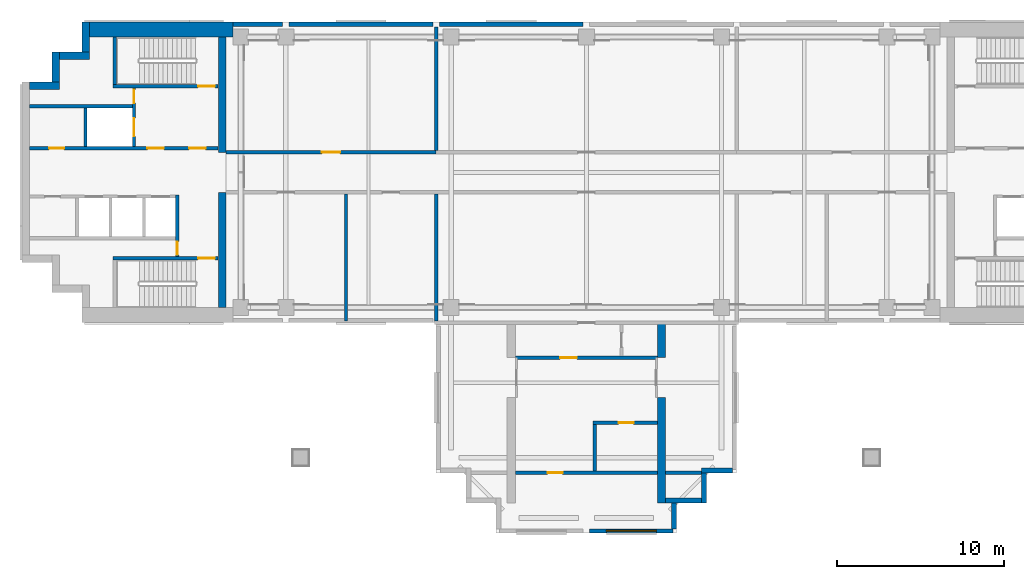
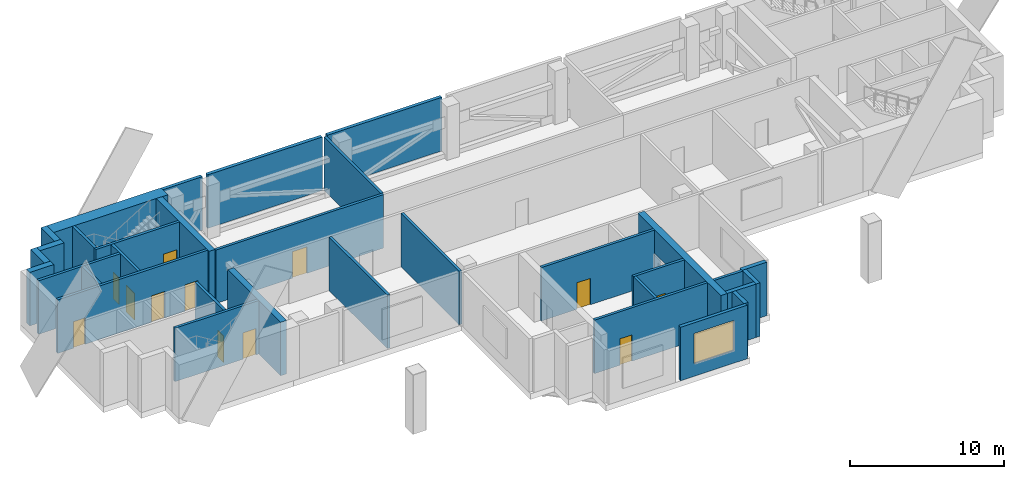
# One storey, part 3 of 8: 33 walls, 12 doors, 1 window, 13 openings.
"""IFC4 building model written with IfcOpenShell, lengths in metres."""

from ifc_helpers import new_model, si_unit, direction, frame, frame_2d, origin, place, context, subcontext, project, spatial, polyline, rectangle, outline, extrude, material, layer, layer_set, material_profile, profile_set, type_object, element, fill, save


model = new_model("IFC4")

# Units and contexts
model_context = context("Model", 3, precision=1e-05, world=origin(), true_north=direction((0.0, 1.0)))
body_context = subcontext(model_context, "Body", "Model", "MODEL_VIEW")
ifc_project = project(units=[si_unit("LENGTHUNIT", "METRE"), si_unit("AREAUNIT", "SQUARE_METRE"), si_unit("VOLUMEUNIT", "CUBIC_METRE"), si_unit("PLANEANGLEUNIT", "RADIAN"), si_unit("MASSUNIT", "GRAM", prefix="KILO")], contexts=[model_context])

# Site, building, storey
site_placement = place(None, origin())
site = spatial("IfcSite", under=ifc_project, at=site_placement, CompositionType="ELEMENT")
building_placement = place(site_placement, origin())
building = spatial("IfcBuilding", under=site, at=building_placement, Name="Perihelion Cross Residences", CompositionType="ELEMENT")
storey_placement = place(building_placement, frame((0.0, 0.0, 228.0)))
storey = spatial("IfcBuildingStorey", under=building, at=storey_placement, Name="L57", CompositionType="ELEMENT", Elevation=228.0)

# Walls
ifc_material_1 = material(Name="Plasterboard partition")
ifc_layer_1 = layer(ifc_material_1, 0.199951171875)
ifc_layer_set_1 = layer_set([ifc_layer_1], Name="Apartment riser wall 200")
wall_type_1 = type_object("IfcWallType", Name="Apartment riser wall 200", PredefinedType="PARTITIONING", material=ifc_layer_set_1)
wall_1_placement = place(storey_placement, frame((-9.0, 1.300048828125, 0.0), z_axis=(0.0, 0.0, 1.0), x_axis=(0.0, 1.0, 0.0)))
element("IfcWall", 1, at=wall_1_placement, inside=storey, type_object=wall_type_1, Name="Partition L57 W006", PredefinedType="PARTITIONING", context=body_context, shape_type="SweptSolid", body=[
    extrude(rectangle(XDim=7.39990234375, YDim=0.199951171875, at=frame_2d((3.699951171875, 0.0))), origin(), (0.0, 0.0, 1.0), 4.25),
])
for number, where, z_axis, x_axis, name in (
    (2, (-9.0, -8.89990234375, 0.0), (0.0, 0.0, 1.0), (0.0, 1.0, 0.0), "Partition L57 W008"),
    (3, (-14.39990234375, -8.89990234375, 0.0), (0.0, 0.0, 1.0), (0.0, 1.0, 0.0), "Partition L57 W011"),
):
    element("IfcWall", number, at=place(storey_placement, frame(where, z_axis=z_axis, x_axis=x_axis)), inside=storey, type_object=wall_type_1, Name=name, PredefinedType="PARTITIONING", context=body_context, shape_type="SweptSolid", body=[
        extrude(rectangle(XDim=7.599853515625, YDim=0.199951171875, at=frame_2d((3.7998046875, 0.0))), origin(), (0.0, 0.0, 1.0), 4.25),
    ])

# Wall, opening, door
wall_2_placement = place(storey_placement, frame((4.25, -11.10009765625, 0.0), z_axis=(0.0, 0.0, 1.0), x_axis=(-1.0, 0.0, 0.0)))
wall_2 = element("IfcWall", 4, at=wall_2_placement, inside=storey, type_object=wall_type_1, Name="Partition L57 W013", PredefinedType="PARTITIONING", context=body_context, shape_type="SweptSolid", body=[
    extrude(rectangle(XDim=8.5, YDim=0.199951171875, at=frame_2d((4.25, 0.0))), origin(), (0.0, 0.0, 1.0), 4.25),
])
opening_1_placement = place(wall_2_placement, frame((4.824951171875, 0.0, 0.0)))
opening_1 = element("IfcOpeningElement", 5, at=opening_1_placement, cuts=wall_2, Name="Opening L57.A11", PredefinedType="OPENING", context=body_context, shape_type="SweptSolid", body=[
    extrude(rectangle(XDim=1.0, YDim=2.10009765625, at=frame_2d((0.5, 1.050048828125))), frame((0.0, 0.10986328125, 0.0), z_axis=(0.0, -1.0, 0.0), x_axis=(1.0, 0.0, 0.0)), (0.0, 0.0, 1.0), 0.219970703125),
])
ifc_material_2 = material(Name="Steel door leaf", Category="steel")
door_type_1 = type_object("IfcDoorType", Name="Plant floor door 1000 x 2100", OperationType="SINGLE_SWING_LEFT", PredefinedType="DOOR", material=ifc_material_2)
door_1_placement = place(opening_1_placement, origin())
door_1 = element("IfcDoor", 6, at=door_1_placement, inside=storey, type_object=door_type_1, Name="Door L57.A11", OperationType="SINGLE_SWING_RIGHT", OverallHeight=2.10009765625, OverallWidth=1.0, PredefinedType="DOOR", context=body_context, shape_type="SweptSolid", body=[
    extrude(rectangle(XDim=1.0, YDim=2.10009765625, at=frame_2d((0.5, 1.050048828125))), frame((0.0, 0.02490234375, 0.0), z_axis=(0.0, -1.0, 0.0), x_axis=(1.0, 0.0, 0.0)), (0.0, 0.0, 1.0), 0.050048828125),
])
fill(opening_1, door_1)

wall_3_placement = place(storey_placement, frame((4.25, -15.0, 0.0), z_axis=(0.0, 0.0, 1.0), x_axis=(-1.0, 0.0, 0.0)))
wall_3 = element("IfcWall", 7, at=wall_3_placement, inside=storey, type_object=wall_type_1, Name="Partition L57 W014", PredefinedType="PARTITIONING", context=body_context, shape_type="SweptSolid", body=[
    extrude(rectangle(XDim=3.85009765625, YDim=0.199951171875, at=frame_2d((1.925048828125, 0.0))), origin(), (0.0, 0.0, 1.0), 4.25),
])
opening_2_placement = place(wall_3_placement, frame((1.425048828125, 0.0, 0.0)))
opening_2 = element("IfcOpeningElement", 8, at=opening_2_placement, cuts=wall_3, Name="Opening L57.A12", PredefinedType="OPENING", context=body_context, shape_type="SweptSolid", body=[
    extrude(rectangle(XDim=0.89990234375, YDim=2.10009765625, at=frame_2d((0.449951171875, 1.050048828125))), frame((0.0, 0.10986328125, 0.0), z_axis=(0.0, -1.0, 0.0), x_axis=(1.0, 0.0, 0.0)), (0.0, 0.0, 1.0), 0.219970703125),
])
ifc_material_3 = material(Name="Timber door leaf", Category="wood")
door_type_2 = type_object("IfcDoorType", Name="Interior room door 900 x 2100", OperationType="SINGLE_SWING_LEFT", PredefinedType="DOOR", material=ifc_material_3)
door_2_placement = place(opening_2_placement, origin())
door_2 = element("IfcDoor", 9, at=door_2_placement, inside=storey, type_object=door_type_2, Name="Door L57.A12", OperationType="SINGLE_SWING_LEFT", OverallHeight=2.10009765625, OverallWidth=0.89990234375, PredefinedType="DOOR", context=body_context, shape_type="SweptSolid", body=[
    extrude(rectangle(XDim=0.89990234375, YDim=2.10009765625, at=frame_2d((0.449951171875, 1.050048828125))), frame((0.0, 0.02490234375, 0.0), z_axis=(0.0, -1.0, 0.0), x_axis=(1.0, 0.0, 0.0)), (0.0, 0.0, 1.0), 0.050048828125),
])
fill(opening_2, door_2)

# Wall
wall_4_placement = place(storey_placement, frame((0.5, -15.10009765625, 0.0), z_axis=(0.0, 0.0, 1.0), x_axis=(0.0, -1.0, 0.0)))
element("IfcWall", 10, at=wall_4_placement, inside=storey, type_object=wall_type_1, Name="Partition L57 W015", PredefinedType="PARTITIONING", context=body_context, shape_type="SweptSolid", body=[
    extrude(rectangle(XDim=2.7998046875, YDim=0.199951171875, at=frame_2d((1.39990234375, 0.0))), origin(), (0.0, 0.0, 1.0), 4.25),
])

# Wall, opening, door
wall_5_placement = place(storey_placement, frame((4.25, -18.0, 0.0), z_axis=(0.0, 0.0, 1.0), x_axis=(-1.0, 0.0, 0.0)))
wall_5 = element("IfcWall", 11, at=wall_5_placement, inside=storey, type_object=wall_type_1, Name="Partition L57 W016", PredefinedType="PARTITIONING", context=body_context, shape_type="SweptSolid", body=[
    extrude(rectangle(XDim=8.5, YDim=0.199951171875, at=frame_2d((4.25, 0.0))), origin(), (0.0, 0.0, 1.0), 4.25),
])
opening_3_placement = place(wall_5_placement, frame((5.675048828125, 0.0, 0.0)))
opening_3 = element("IfcOpeningElement", 12, at=opening_3_placement, cuts=wall_5, Name="Opening L57.A13", PredefinedType="OPENING", context=body_context, shape_type="SweptSolid", body=[
    extrude(rectangle(XDim=0.89990234375, YDim=2.10009765625, at=frame_2d((0.449951171875, 1.050048828125))), frame((0.0, 0.10986328125, 0.0), z_axis=(0.0, -1.0, 0.0), x_axis=(1.0, 0.0, 0.0)), (0.0, 0.0, 1.0), 0.219970703125),
])
door_3_placement = place(opening_3_placement, origin())
door_3 = element("IfcDoor", 13, at=door_3_placement, inside=storey, type_object=door_type_2, Name="Door L57.A13", OperationType="SINGLE_SWING_RIGHT", OverallHeight=2.10009765625, OverallWidth=0.89990234375, PredefinedType="DOOR", context=body_context, shape_type="SweptSolid", body=[
    extrude(rectangle(XDim=0.89990234375, YDim=2.10009765625, at=frame_2d((0.449951171875, 1.050048828125))), frame((0.0, 0.02490234375, 0.0), z_axis=(0.0, -1.0, 0.0), x_axis=(1.0, 0.0, 0.0)), (0.0, 0.0, 1.0), 0.050048828125),
])
fill(opening_3, door_3)

# Wall
wall_6_placement = place(storey_placement, frame((6.89990234375, -18.0, 0.0), z_axis=(0.0, 0.0, 1.0), x_axis=(-1.0, 0.0, 0.0)))
element("IfcWall", 14, at=wall_6_placement, inside=storey, type_object=wall_type_1, Name="Partition L57 W017", PredefinedType="PARTITIONING", context=body_context, shape_type="SweptSolid", body=[
    extrude(rectangle(XDim=2.14990234375, YDim=0.199951171875, at=frame_2d((1.074951171875, 0.0))), origin(), (0.0, 0.0, 1.0), 4.25),
])

# Wall, opening, door
ifc_material_4 = material(Name="Plasterboard partition")
ifc_layer_2 = layer(ifc_material_4, 0.199951171875)
ifc_layer_set_2 = layer_set([ifc_layer_2], Name="Apartment separation wall 200")
wall_type_2 = type_object("IfcWallType", Name="Apartment separation wall 200", PredefinedType="PARTITIONING", material=ifc_layer_set_2)
wall_7_placement = place(storey_placement, frame((-21.60009765625, 1.199951171875, 0.0), z_axis=(0.0, 0.0, 1.0), x_axis=(1.0, 0.0, 0.0)))
wall_7 = element("IfcWall", 15, at=wall_7_placement, inside=storey, type_object=wall_type_2, Name="Partition L57 W004", PredefinedType="PARTITIONING", context=body_context, shape_type="SweptSolid", body=[
    extrude(rectangle(XDim=12.60009765625, YDim=0.199951171875, at=frame_2d((6.300048828125, 0.0))), origin(), (0.0, 0.0, 1.0), 4.25),
])
opening_4_placement = place(wall_7_placement, frame((5.75, 0.0, 0.0)))
opening_4 = element("IfcOpeningElement", 16, at=opening_4_placement, cuts=wall_7, Name="Opening L57.A06", PredefinedType="OPENING", context=body_context, shape_type="SweptSolid", body=[
    extrude(rectangle(XDim=1.10009765625, YDim=2.10009765625, at=frame_2d((0.550048828125, 1.050048828125))), frame((0.0, 0.10986328125, 0.0), z_axis=(0.0, -1.0, 0.0), x_axis=(1.0, 0.0, 0.0)), (0.0, 0.0, 1.0), 0.219970703125),
])
ifc_material_5 = material(Name="Steel door leaf", Category="steel")
door_type_3 = type_object("IfcDoorType", Name="Refuge room door 1100 x 2100", OperationType="SINGLE_SWING_LEFT", PredefinedType="DOOR", material=ifc_material_5)
door_4_placement = place(opening_4_placement, origin())
door_4 = element("IfcDoor", 17, at=door_4_placement, inside=storey, type_object=door_type_3, Name="Door L57.A06", OperationType="SINGLE_SWING_RIGHT", OverallHeight=2.10009765625, OverallWidth=1.10009765625, PredefinedType="DOOR", context=body_context, shape_type="SweptSolid", body=[
    extrude(rectangle(XDim=1.10009765625, YDim=2.10009765625, at=frame_2d((0.550048828125, 1.050048828125))), frame((0.0, 0.02490234375, 0.0), z_axis=(0.0, -1.0, 0.0), x_axis=(1.0, 0.0, 0.0)), (0.0, 0.0, 1.0), 0.050048828125),
])
fill(opening_4, door_4)

# Walls
ifc_material_6 = material(Name="Concrete C30/37, bronze-clad", Category="concrete")
ifc_layer_3 = layer(ifc_material_6, 0.300048828125)
ifc_layer_set_3 = layer_set([ifc_layer_3], Name="Bronze-clad serration wall 300")
wall_type_3 = type_object("IfcWallType", Name="Bronze-clad serration wall 300", PredefinedType="SOLIDWALL", material=ifc_layer_set_3)
wall_8_placement = place(storey_placement, frame((5.25, -21.35009765625, 0.0), z_axis=(0.0, 0.0, 1.0), x_axis=(0.0, 1.0, 0.0)))
element("IfcWall", 18, at=wall_8_placement, inside=storey, type_object=wall_type_3, Name="Wall SR1 L57 south corner south-east 1", PredefinedType="SOLIDWALL", context=body_context, shape_type="SweptSolid", body=[
    extrude(rectangle(XDim=1.550048828125, YDim=0.300048828125, at=frame_2d((0.77490234375, 0.0))), origin(), (0.0, 0.0, 1.0), 4.25),
])
wall_9_placement = place(storey_placement, frame((4.75, -19.64990234375, 0.0), z_axis=(0.0, 0.0, 1.0), x_axis=(1.0, 0.0, 0.0)))
element("IfcWall", 19, at=wall_9_placement, inside=storey, type_object=wall_type_3, Name="Wall SR1 L57 south corner south-east 2", PredefinedType="SOLIDWALL", context=body_context, shape_type="SweptSolid", body=[
    extrude(rectangle(XDim=2.14990234375, YDim=0.300048828125, at=frame_2d((1.074951171875, 0.0))), origin(), (0.0, 0.0, 1.0), 4.25),
])
wall_10_placement = place(storey_placement, frame((7.050048828125, -19.800048828125, 0.0), z_axis=(0.0, 0.0, 1.0), x_axis=(0.0, 1.0, 0.0)))
element("IfcWall", 20, at=wall_10_placement, inside=storey, type_object=wall_type_3, Name="Wall SR1 L57 south corner south-east 3", PredefinedType="SOLIDWALL", context=body_context, shape_type="SweptSolid", body=[
    extrude(rectangle(XDim=1.800048828125, YDim=0.300048828125, at=frame_2d((0.89990234375, 0.0))), origin(), (0.0, 0.0, 1.0), 4.25),
])
wall_11_placement = place(storey_placement, frame((6.89990234375, -17.85009765625, 0.0), z_axis=(0.0, 0.0, 1.0), x_axis=(1.0, 0.0, 0.0)))
element("IfcWall", 21, at=wall_11_placement, inside=storey, type_object=wall_type_3, Name="Wall SR1 L57 south corner south-east 4", PredefinedType="SOLIDWALL", context=body_context, shape_type="SweptSolid", body=[
    extrude(rectangle(XDim=1.85009765625, YDim=0.300048828125, at=frame_2d((0.925048828125, 0.0))), origin(), (0.0, 0.0, 1.0), 4.25),
])
ifc_material_7 = material(Name="Concrete C60/75", Category="concrete")
ifc_layer_4 = layer(ifc_material_7, 0.449951171875)
ifc_layer_set_4 = layer_set([ifc_layer_4], Name="Core wall, inner 450")
wall_type_4 = type_object("IfcWallType", Name="Core wall, inner 450", PredefinedType="SHEAR", material=ifc_layer_set_4)
for number, where, z_axis, x_axis, name in (
    (22, (-21.824951171875, -8.10009765625, 0.0), (0.0, 0.0, 1.0), (0.0, 1.0, 0.0), "West core core wall, inner"),
    (23, (-21.824951171875, 1.199951171875, 0.0), (0.0, 0.0, 1.0), (0.0, 1.0, 0.0), "West core core wall, inner"),
):
    element("IfcWall", number, at=place(storey_placement, frame(where, z_axis=z_axis, x_axis=x_axis)), inside=storey, type_object=wall_type_4, Name=name, PredefinedType="SHEAR", context=body_context, shape_type="SweptSolid", body=[
        extrude(rectangle(XDim=6.900146484375, YDim=0.449951171875, at=frame_2d((3.4501953125, 0.0))), origin(), (0.0, 0.0, 1.0), 4.25),
    ])
ifc_material_8 = material(Name="Concrete C60/75", Category="concrete")
ifc_layer_5 = layer(ifc_material_8, 0.449951171875)
ifc_layer_set_5 = layer_set([ifc_layer_5], Name="Core wall, outer 450")
wall_type_5 = type_object("IfcWallType", Name="Core wall, outer 450", PredefinedType="SHEAR", material=ifc_layer_set_5)
for number, where, z_axis, x_axis, name in (
    (24, (-33.35009765625, 5.175048828125, 0.0), (0.0, 0.0, 1.0), (1.0, 0.0, 0.0), "West core core wall, outer"),
    (25, (-31.77490234375, 5.39990234375, 0.0), (0.0, 0.0, 1.0), (0.0, 1.0, 0.0), "West core core wall, outer"),
    (26, (-31.550048828125, 6.97509765625, 0.0), (0.0, 0.0, 1.0), (1.0, 0.0, 0.0), "West core core wall, outer"),
    (27, (-29.97509765625, 7.199951171875, 0.0), (0.0, 0.0, 1.0), (0.0, 1.0, 0.0), "West core core wall, outer"),
):
    element("IfcWall", number, at=place(storey_placement, frame(where, z_axis=z_axis, x_axis=x_axis)), inside=storey, type_object=wall_type_5, Name=name, PredefinedType="SHEAR", context=body_context, shape_type="SweptSolid", body=[
        extrude(rectangle(XDim=1.800048828125, YDim=0.449951171875, at=frame_2d((0.89990234375, 0.0))), origin(), (0.0, 0.0, 1.0), 4.25),
    ])
ifc_material_9 = material(Name="Concrete C60/75", Category="concrete")
ifc_layer_6 = layer(ifc_material_9, 0.89990234375)
ifc_layer_set_6 = layer_set([ifc_layer_6], Name="Core wall, outer 900")
wall_type_6 = type_object("IfcWallType", Name="Core wall, outer 900", PredefinedType="SHEAR", material=ifc_layer_set_6)
wall_12_placement = place(storey_placement, frame((-29.75, 8.550048828125, 0.0), z_axis=(0.0, 0.0, 1.0), x_axis=(1.0, 0.0, 0.0)))
element("IfcWall", 28, at=wall_12_placement, inside=storey, type_object=wall_type_6, Name="West core core wall, outer", PredefinedType="SHEAR", context=body_context, shape_type="SweptSolid", body=[
    extrude(rectangle(XDim=8.574951171875, YDim=0.89990234375, at=frame_2d((4.28759765625, 0.0))), origin(), (0.0, 0.0, 1.0), 4.25),
])

# Wall, opening, door
ifc_material_10 = material(Name="Concrete C50/60", Category="concrete")
ifc_layer_7 = layer(ifc_material_10, 0.199951171875)
ifc_layer_set_7 = layer_set([ifc_layer_7], Name="Lobby wall 200")
wall_type_7 = type_object("IfcWallType", Name="Lobby wall 200", PredefinedType="SOLIDWALL", material=ifc_layer_set_7)
wall_13_placement = place(storey_placement, frame((-24.5, -5.050048828125, 0.0), z_axis=(0.0, 0.0, 1.0), x_axis=(0.0, 1.0, 0.0)))
wall_13 = element("IfcWall", 29, at=wall_13_placement, inside=storey, type_object=wall_type_7, Name="West core lobby wall", PredefinedType="SOLIDWALL", context=body_context, shape_type="SweptSolid", body=[
    extrude(rectangle(XDim=3.699951171875, YDim=0.199951171875, at=frame_2d((1.85009765625, 0.0))), origin(), (0.0, 0.0, 1.0), 4.25),
])
opening_5_placement = place(wall_13_placement, frame((0.10009765625, 0.0, 0.0)))
opening_5 = element("IfcOpeningElement", 30, at=opening_5_placement, cuts=wall_13, Name="Opening L57.C20", PredefinedType="OPENING", context=body_context, shape_type="SweptSolid", body=[
    extrude(rectangle(XDim=0.800048828125, YDim=2.10009765625, at=frame_2d((0.39990234375, 1.050048828125))), frame((0.0, 0.10986328125, 0.0), z_axis=(0.0, -1.0, 0.0), x_axis=(1.0, 0.0, 0.0)), (0.0, 0.0, 1.0), 0.219970703125),
])
ifc_material_11 = material(Name="Steel, powder coated", Category="steel")
door_type_4 = type_object("IfcDoorType", Name="Riser door 800", OperationType="SINGLE_SWING_LEFT", PredefinedType="DOOR", material=ifc_material_11)
door_5_placement = place(opening_5_placement, origin())
door_5 = element("IfcDoor", 31, at=door_5_placement, inside=storey, type_object=door_type_4, Name="West core riser door", OperationType="SINGLE_SWING_LEFT", OverallHeight=2.10009765625, OverallWidth=0.800048828125, PredefinedType="DOOR", context=body_context, shape_type="SweptSolid", body=[
    extrude(rectangle(XDim=0.800048828125, YDim=2.10009765625, at=frame_2d((0.39990234375, 1.050048828125))), frame((0.0, 0.02490234375, 0.0), z_axis=(0.0, -1.0, 0.0), x_axis=(1.0, 0.0, 0.0)), (0.0, 0.0, 1.0), 0.050048828125),
])
fill(opening_5, door_5)

# Walls
ifc_material_12 = material(Name="Concrete C30/37, bronze-clad", Category="concrete")
ifc_layer_8 = layer(ifc_material_12, 0.25)
ifc_layer_set_8 = layer_set([ifc_layer_8], Name="Louvre bay wall 250")
wall_type_8 = type_object("IfcWallType", Name="Louvre bay wall 250", PredefinedType="SOLIDWALL", material=ifc_layer_set_8)
for number, where, z_axis, x_axis, name in (
    (32, (-0.199951171875, 8.875, 0.0), (0.0, 0.0, 1.0), (-1.0, 0.0, 0.0), "Wall FW2 L57 north side east bay 2 louvre"),
    (33, (-9.199951171875, 8.875, 0.0), (0.0, 0.0, 1.0), (-1.0, 0.0, 0.0), "Wall FW2 L57 west side north bay 1 louvre"),
):
    element("IfcWall", number, at=place(storey_placement, frame(where, z_axis=z_axis, x_axis=x_axis)), inside=storey, type_object=wall_type_8, Name=name, PredefinedType="SOLIDWALL", context=body_context, shape_type="SweptSolid", body=[
        extrude(rectangle(XDim=8.60009765625, YDim=0.25, at=frame_2d((4.300048828125, 0.0))), origin(), (0.0, 0.0, 1.0), 4.25),
    ])
wall_14_placement = place(storey_placement, frame((-18.199951171875, 8.875, 0.0), z_axis=(0.0, 0.0, 1.0), x_axis=(-1.0, 0.0, 0.0)))
element("IfcWall", 34, at=wall_14_placement, inside=storey, type_object=wall_type_8, Name="Wall FW2 L57 west side north bay 2 louvre", PredefinedType="SOLIDWALL", context=body_context, shape_type="SweptSolid", body=[
    extrude(rectangle(XDim=2.97509765625, YDim=0.25, at=frame_2d((1.487548828125, 0.0))), origin(), (0.0, 0.0, 1.0), 4.25),
])

# Wall, opening, window
wall_15_placement = place(storey_placement, frame((0.199951171875, -21.47509765625, 0.0), z_axis=(0.0, 0.0, 1.0), x_axis=(1.0, 0.0, 0.0)))
wall_15 = element("IfcWall", 35, at=wall_15_placement, inside=storey, type_object=wall_type_8, Name="Wall FW2 L57 south tip south bay 2 louvre", PredefinedType="SOLIDWALL", context=body_context, shape_type="SweptSolid", body=[
    extrude(rectangle(XDim=5.0, YDim=0.25, at=frame_2d((2.5, 0.0))), origin(), (0.0, 0.0, 1.0), 4.25),
])
opening_6_placement = place(wall_15_placement, frame((1.0, 0.0, 1.0)))
opening_6 = element("IfcOpeningElement", 36, at=opening_6_placement, cuts=wall_15, Name="Opening L57.W03", PredefinedType="OPENING", context=body_context, shape_type="SweptSolid", body=[
    extrude(rectangle(XDim=3.0, YDim=2.39990234375, at=frame_2d((1.5, 1.199951171875))), frame((0.0, 0.135009765625, 0.0), z_axis=(0.0, -1.0, 0.0), x_axis=(1.0, 0.0, 0.0)), (0.0, 0.0, 1.0), 0.27001953125),
])
ifc_material_13 = material(Name="Bronze anodised aluminium, louvred", Category="aluminium")
window_type = type_object("IfcWindowType", Name="Louvred vent 3000 x 2400", PartitioningType="SINGLE_PANEL", PredefinedType="WINDOW", material=ifc_material_13)
window_placement = place(opening_6_placement, origin())
window = element("IfcWindow", 37, at=window_placement, inside=storey, type_object=window_type, Name="Window L57.W03 south tip south bay 2 vent", OverallHeight=2.39990234375, OverallWidth=3.0, PartitioningType="SINGLE_PANEL", PredefinedType="WINDOW", context=body_context, shape_type="SweptSolid", body=[
    extrude(rectangle(XDim=3.0, YDim=2.39990234375, at=frame_2d((1.5, 1.199951171875))), frame((0.0, 0.030029296875, 0.0), z_axis=(0.0, -1.0, 0.0), x_axis=(1.0, 0.0, 0.0)), (0.0, 0.0, 1.0), 0.06005859375),
])
fill(opening_6, window)

# Wall, openings, doors
ifc_material_14 = material(Name="Concrete C50/60", Category="concrete")
ifc_layer_9 = layer(ifc_material_14, 0.199951171875)
ifc_layer_set_9 = layer_set([ifc_layer_9], Name="Shaft wall 200")
wall_type_9 = type_object("IfcWallType", Name="Shaft wall 200", PredefinedType="SOLIDWALL", material=ifc_layer_set_9)
wall_16_placement = place(storey_placement, frame((-33.35009765625, 1.449951171875, 0.0), z_axis=(0.0, 0.0, 1.0), x_axis=(1.0, 0.0, 0.0)))
wall_16 = element("IfcWall", 38, at=wall_16_placement, inside=storey, type_object=wall_type_9, Name="West core shaft wall", PredefinedType="SOLIDWALL", context=body_context, shape_type="SweptSolid", body=[
    extrude(rectangle(XDim=11.300048828125, YDim=0.199951171875, at=frame_2d((5.64990234375, 0.0))), origin(), (0.0, 0.0, 1.0), 4.25),
])
opening_7_placement = place(wall_16_placement, frame((9.550048828125, 0.0, 0.0)))
opening_7 = element("IfcOpeningElement", 39, at=opening_7_placement, cuts=wall_16, Name="Opening L57.C19", PredefinedType="OPENING", context=body_context, shape_type="SweptSolid", body=[
    extrude(rectangle(XDim=1.0, YDim=2.10009765625, at=frame_2d((0.5, 1.050048828125))), frame((0.0, 0.10986328125, 0.0), z_axis=(0.0, -1.0, 0.0), x_axis=(1.0, 0.0, 0.0)), (0.0, 0.0, 1.0), 0.219970703125),
])
opening_8_placement = place(wall_16_placement, frame((7.050048828125, 0.0, 0.0)))
opening_8 = element("IfcOpeningElement", 40, at=opening_8_placement, cuts=wall_16, Name="Opening L57.C21", PredefinedType="OPENING", context=body_context, shape_type="SweptSolid", body=[
    extrude(rectangle(XDim=1.0, YDim=2.10009765625, at=frame_2d((0.5, 1.050048828125))), frame((0.0, 0.10986328125, 0.0), z_axis=(0.0, -1.0, 0.0), x_axis=(1.0, 0.0, 0.0)), (0.0, 0.0, 1.0), 0.219970703125),
])
opening_9_placement = place(wall_16_placement, frame((1.175048828125, 0.0, 0.0)))
opening_9 = element("IfcOpeningElement", 41, at=opening_9_placement, cuts=wall_16, Name="Opening L57.C23", PredefinedType="OPENING", context=body_context, shape_type="SweptSolid", body=[
    extrude(rectangle(XDim=0.89990234375, YDim=2.10009765625, at=frame_2d((0.449951171875, 1.050048828125))), frame((0.0, 0.10986328125, 0.0), z_axis=(0.0, -1.0, 0.0), x_axis=(1.0, 0.0, 0.0)), (0.0, 0.0, 1.0), 0.219970703125),
])
ifc_material_15 = material(Name="Steel, powder coated", Category="steel")
door_type_5 = type_object("IfcDoorType", Name="Lobby door 1000", OperationType="SINGLE_SWING_LEFT", PredefinedType="DOOR", material=ifc_material_15)
door_6_placement = place(opening_7_placement, origin())
door_6 = element("IfcDoor", 42, at=door_6_placement, inside=storey, type_object=door_type_5, Name="West core firefighting lobby door", OperationType="SINGLE_SWING_LEFT", OverallHeight=2.10009765625, OverallWidth=1.0, PredefinedType="DOOR", context=body_context, shape_type="SweptSolid", body=[
    extrude(rectangle(XDim=1.0, YDim=2.10009765625, at=frame_2d((0.5, 1.050048828125))), frame((0.0, 0.02490234375, 0.0), z_axis=(0.0, -1.0, 0.0), x_axis=(1.0, 0.0, 0.0)), (0.0, 0.0, 1.0), 0.050048828125),
])
fill(opening_7, door_6)
door_7_placement = place(opening_8_placement, origin())
door_7 = element("IfcDoor", 43, at=door_7_placement, inside=storey, type_object=door_type_5, Name="West core firefighting lobby door", OperationType="SINGLE_SWING_LEFT", OverallHeight=2.10009765625, OverallWidth=1.0, PredefinedType="DOOR", context=body_context, shape_type="SweptSolid", body=[
    extrude(rectangle(XDim=1.0, YDim=2.10009765625, at=frame_2d((0.5, 1.050048828125))), frame((0.0, 0.02490234375, 0.0), z_axis=(0.0, -1.0, 0.0), x_axis=(1.0, 0.0, 0.0)), (0.0, 0.0, 1.0), 0.050048828125),
])
fill(opening_8, door_7)
ifc_material_16 = material(Name="Steel, powder coated", Category="steel")
door_type_6 = type_object("IfcDoorType", Name="Service room door 900", OperationType="SINGLE_SWING_LEFT", PredefinedType="DOOR", material=ifc_material_16)
door_8_placement = place(opening_9_placement, origin())
door_8 = element("IfcDoor", 44, at=door_8_placement, inside=storey, type_object=door_type_6, Name="West core service room door", OperationType="SINGLE_SWING_LEFT", OverallHeight=2.10009765625, OverallWidth=0.89990234375, PredefinedType="DOOR", context=body_context, shape_type="SweptSolid", body=[
    extrude(rectangle(XDim=0.89990234375, YDim=2.10009765625, at=frame_2d((0.449951171875, 1.050048828125))), frame((0.0, 0.02490234375, 0.0), z_axis=(0.0, -1.0, 0.0), x_axis=(1.0, 0.0, 0.0)), (0.0, 0.0, 1.0), 0.050048828125),
])
fill(opening_9, door_8)

# Wall
wall_17_placement = place(storey_placement, frame((-33.35009765625, 3.949951171875, 0.0), z_axis=(0.0, 0.0, 1.0), x_axis=(1.0, 0.0, 0.0)))
element("IfcWall", 45, at=wall_17_placement, inside=storey, type_object=wall_type_9, Name="West core shaft wall", PredefinedType="SOLIDWALL", context=body_context, shape_type="SweptSolid", body=[
    extrude(rectangle(XDim=6.150146484375, YDim=0.199951171875, at=frame_2d((3.0751953125, 0.0))), origin(), (0.0, 0.0, 1.0), 4.25),
])

# Wall, openings, doors
wall_18_placement = place(storey_placement, frame((-27.10009765625, 1.550048828125, 0.0), z_axis=(0.0, 0.0, 1.0), x_axis=(0.0, 1.0, 0.0)))
wall_18 = element("IfcWall", 46, at=wall_18_placement, inside=storey, type_object=wall_type_9, Name="West core shaft wall", PredefinedType="SOLIDWALL", context=body_context, shape_type="SweptSolid", body=[
    extrude(rectangle(XDim=3.5, YDim=0.199951171875, at=frame_2d((1.75, 0.0))), origin(), (0.0, 0.0, 1.0), 4.25),
])
opening_10_placement = place(wall_18_placement, frame((0.60009765625, 0.0, 0.0)))
opening_10 = element("IfcOpeningElement", 47, at=opening_10_placement, cuts=wall_18, Name="Opening L57.C14", PredefinedType="OPENING", context=body_context, shape_type="SweptSolid", body=[
    extrude(rectangle(XDim=1.10009765625, YDim=2.10009765625, at=frame_2d((0.550048828125, 1.050048828125))), frame((0.0, 0.10986328125, 0.0), z_axis=(0.0, -1.0, 0.0), x_axis=(1.0, 0.0, 0.0)), (0.0, 0.0, 1.0), 0.219970703125),
])
opening_11_placement = place(wall_18_placement, frame((2.60009765625, 0.0, 0.0)))
opening_11 = element("IfcOpeningElement", 48, at=opening_11_placement, cuts=wall_18, Name="Opening L57.C22", PredefinedType="OPENING", context=body_context, shape_type="SweptSolid", body=[
    extrude(rectangle(XDim=0.800048828125, YDim=2.10009765625, at=frame_2d((0.39990234375, 1.050048828125))), frame((0.0, 0.10986328125, 0.0), z_axis=(0.0, -1.0, 0.0), x_axis=(1.0, 0.0, 0.0)), (0.0, 0.0, 1.0), 0.219970703125),
])
ifc_material_17 = material(Name="Stainless steel", Category="steel")
door_type_7 = type_object("IfcDoorType", Name="Landing door, firefighting lift 1100", OperationType="DOUBLE_DOOR_SLIDING", PredefinedType="DOOR", material=ifc_material_17)
door_9_placement = place(opening_10_placement, origin())
door_9 = element("IfcDoor", 49, at=door_9_placement, inside=storey, type_object=door_type_7, Name="Landing door, West core firefighting and service lift", OperationType="DOUBLE_DOOR_SLIDING", OverallHeight=2.10009765625, OverallWidth=1.10009765625, PredefinedType="DOOR", context=body_context, shape_type="SweptSolid", body=[
    extrude(rectangle(XDim=1.10009765625, YDim=2.10009765625, at=frame_2d((0.550048828125, 1.050048828125))), frame((0.0, 0.02490234375, 0.0), z_axis=(0.0, -1.0, 0.0), x_axis=(1.0, 0.0, 0.0)), (0.0, 0.0, 1.0), 0.050048828125),
])
fill(opening_10, door_9)
door_10_placement = place(opening_11_placement, origin())
door_10 = element("IfcDoor", 50, at=door_10_placement, inside=storey, type_object=door_type_4, Name="West core riser door", OperationType="SINGLE_SWING_LEFT", OverallHeight=2.10009765625, OverallWidth=0.800048828125, PredefinedType="DOOR", context=body_context, shape_type="SweptSolid", body=[
    extrude(rectangle(XDim=0.800048828125, YDim=2.10009765625, at=frame_2d((0.39990234375, 1.050048828125))), frame((0.0, 0.02490234375, 0.0), z_axis=(0.0, -1.0, 0.0), x_axis=(1.0, 0.0, 0.0)), (0.0, 0.0, 1.0), 0.050048828125),
])
fill(opening_11, door_10)

# Wall
wall_19_placement = place(storey_placement, frame((-30.0, 1.550048828125, 0.0), z_axis=(0.0, 0.0, 1.0), x_axis=(0.0, 1.0, 0.0)))
element("IfcWall", 51, at=wall_19_placement, inside=storey, type_object=wall_type_9, Name="West core shaft wall", PredefinedType="SOLIDWALL", context=body_context, shape_type="SweptSolid", body=[
    extrude(rectangle(XDim=2.300048828125, YDim=0.199951171875, at=frame_2d((1.14990234375, 0.0))), origin(), (0.0, 0.0, 1.0), 4.25),
])

# Wall, opening, door
ifc_material_18 = material(Name="Concrete C50/60", Category="concrete")
ifc_layer_10 = layer(ifc_material_18, 0.199951171875)
ifc_layer_set_10 = layer_set([ifc_layer_10], Name="Stair wall 200")
wall_type_10 = type_object("IfcWallType", Name="Stair wall 200", PredefinedType="SOLIDWALL", material=ifc_layer_set_10)
wall_20_placement = place(storey_placement, frame((-28.35009765625, 5.14990234375, 0.0), z_axis=(0.0, 0.0, 1.0), x_axis=(1.0, 0.0, 0.0)))
wall_20 = element("IfcWall", 52, at=wall_20_placement, inside=storey, type_object=wall_type_10, Name="West core stair wall", PredefinedType="SOLIDWALL", context=body_context, shape_type="SweptSolid", body=[
    extrude(rectangle(XDim=6.300048828125, YDim=0.199951171875, at=frame_2d((3.14990234375, 0.0))), origin(), (0.0, 0.0, 1.0), 4.25),
])
opening_12_placement = place(wall_20_placement, frame((5.10009765625, 0.0, 0.0)))
opening_12 = element("IfcOpeningElement", 53, at=opening_12_placement, cuts=wall_20, Name="Opening L57.C18", PredefinedType="OPENING", context=body_context, shape_type="SweptSolid", body=[
    extrude(rectangle(XDim=1.0, YDim=2.10009765625, at=frame_2d((0.5, 1.050048828125))), frame((0.0, 0.10986328125, 0.0), z_axis=(0.0, -1.0, 0.0), x_axis=(1.0, 0.0, 0.0)), (0.0, 0.0, 1.0), 0.219970703125),
])
ifc_material_19 = material(Name="Steel, powder coated", Category="steel")
door_type_8 = type_object("IfcDoorType", Name="Stair door 1000", OperationType="SINGLE_SWING_LEFT", PredefinedType="DOOR", material=ifc_material_19)
door_11_placement = place(opening_12_placement, origin())
door_11 = element("IfcDoor", 54, at=door_11_placement, inside=storey, type_object=door_type_8, Name="West core stair door", OperationType="SINGLE_SWING_LEFT", OverallHeight=2.10009765625, OverallWidth=1.0, PredefinedType="DOOR", context=body_context, shape_type="SweptSolid", body=[
    extrude(rectangle(XDim=1.0, YDim=2.10009765625, at=frame_2d((0.5, 1.050048828125))), frame((0.0, 0.02490234375, 0.0), z_axis=(0.0, -1.0, 0.0), x_axis=(1.0, 0.0, 0.0)), (0.0, 0.0, 1.0), 0.050048828125),
])
fill(opening_12, door_11)

wall_21_placement = place(storey_placement, frame((-28.35009765625, -5.14990234375, 0.0), z_axis=(0.0, 0.0, 1.0), x_axis=(1.0, 0.0, 0.0)))
wall_21 = element("IfcWall", 55, at=wall_21_placement, inside=storey, type_object=wall_type_10, Name="West core stair wall", PredefinedType="SOLIDWALL", context=body_context, shape_type="SweptSolid", body=[
    extrude(rectangle(XDim=6.300048828125, YDim=0.199951171875, at=frame_2d((3.14990234375, 0.0))), origin(), (0.0, 0.0, 1.0), 4.25),
])
opening_13_placement = place(wall_21_placement, frame((5.10009765625, 0.0, 0.0)))
opening_13 = element("IfcOpeningElement", 56, at=opening_13_placement, cuts=wall_21, Name="Opening L57.C17", PredefinedType="OPENING", context=body_context, shape_type="SweptSolid", body=[
    extrude(rectangle(XDim=1.0, YDim=2.10009765625, at=frame_2d((0.5, 1.050048828125))), frame((0.0, 0.10986328125, 0.0), z_axis=(0.0, -1.0, 0.0), x_axis=(1.0, 0.0, 0.0)), (0.0, 0.0, 1.0), 0.219970703125),
])
door_12_placement = place(opening_13_placement, origin())
door_12 = element("IfcDoor", 57, at=door_12_placement, inside=storey, type_object=door_type_8, Name="West core stair door", OperationType="SINGLE_SWING_LEFT", OverallHeight=2.10009765625, OverallWidth=1.0, PredefinedType="DOOR", context=body_context, shape_type="SweptSolid", body=[
    extrude(rectangle(XDim=1.0, YDim=2.10009765625, at=frame_2d((0.5, 1.050048828125))), frame((0.0, 0.02490234375, 0.0), z_axis=(0.0, -1.0, 0.0), x_axis=(1.0, 0.0, 0.0)), (0.0, 0.0, 1.0), 0.050048828125),
])
fill(opening_13, door_12)

# Walls
wall_22_placement = place(storey_placement, frame((-28.25, 5.25, 0.0), z_axis=(0.0, 0.0, 1.0), x_axis=(0.0, 1.0, 0.0)))
element("IfcWall", 58, at=wall_22_placement, inside=storey, type_object=wall_type_10, Name="West core stair wall", PredefinedType="SOLIDWALL", context=body_context, shape_type="SweptSolid", body=[
    extrude(rectangle(XDim=2.85009765625, YDim=0.199951171875, at=frame_2d((1.425048828125, 0.0))), origin(), (0.0, 0.0, 1.0), 4.25),
])
ifc_material_20 = material(Name="Concrete C60/75", Category="concrete")
ifc_material_profile = material_profile(ifc_material_20, outline(polyline([(0.0, 0.0), (6.300048828125, 0.0), (6.300048828125, 2.85009765625), (8.699951171875, 2.85009765625), (8.699951171875, 0.0), (10.800048828125, 0.0), (10.800048828125, 4.699951171875), (0.0, 4.699951171875), (0.0, 0.0)])), Name="Tip spine wall")
ifc_profile_set = profile_set([ifc_material_profile], Name="Concrete C60/75")
wall_type_11 = type_object("IfcWallType", Name="Tip spine wall 500 with 1 door openings 10800 long 4700 high concrete C60/75", PredefinedType="SHEAR", material=ifc_profile_set)
wall_23_placement = place(storey_placement, frame((4.25, -19.800048828125, -0.449951171875), z_axis=(1.0, 0.0, 0.0), x_axis=(0.0, 1.0, 0.0)))
element("IfcWall", 59, at=wall_23_placement, inside=storey, type_object=wall_type_11, Name="Shear wall SW44 L57 south east", PredefinedType="SHEAR", context=body_context, shape_type="SweptSolid", body=[
    extrude(outline(polyline([(0.0, 0.0), (6.300048828125, 0.0), (6.300048828125, 2.85009765625), (8.699951171875, 2.85009765625), (8.699951171875, 0.0), (10.800048828125, 0.0), (10.800048828125, 4.699951171875), (0.0, 4.699951171875), (0.0, 0.0)])), origin(), (0.0, 0.0, 1.0), 0.5),
])

save(model, "model.ifc")
